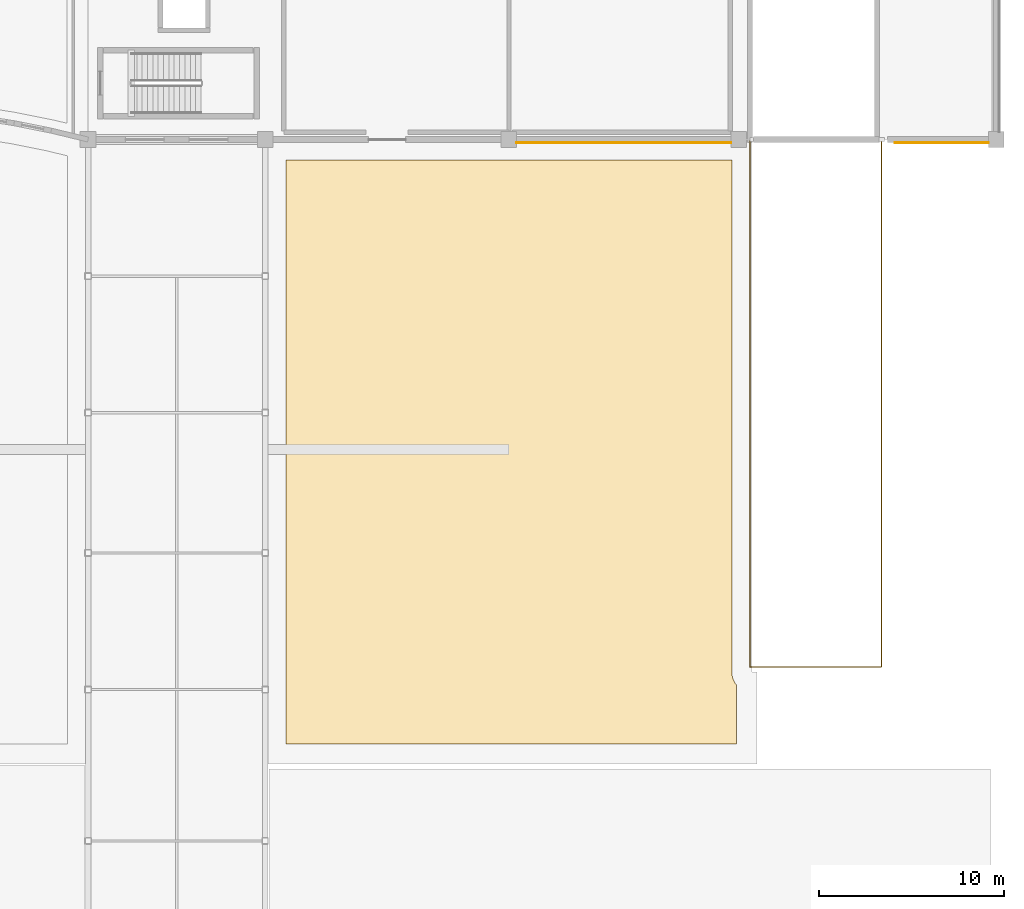
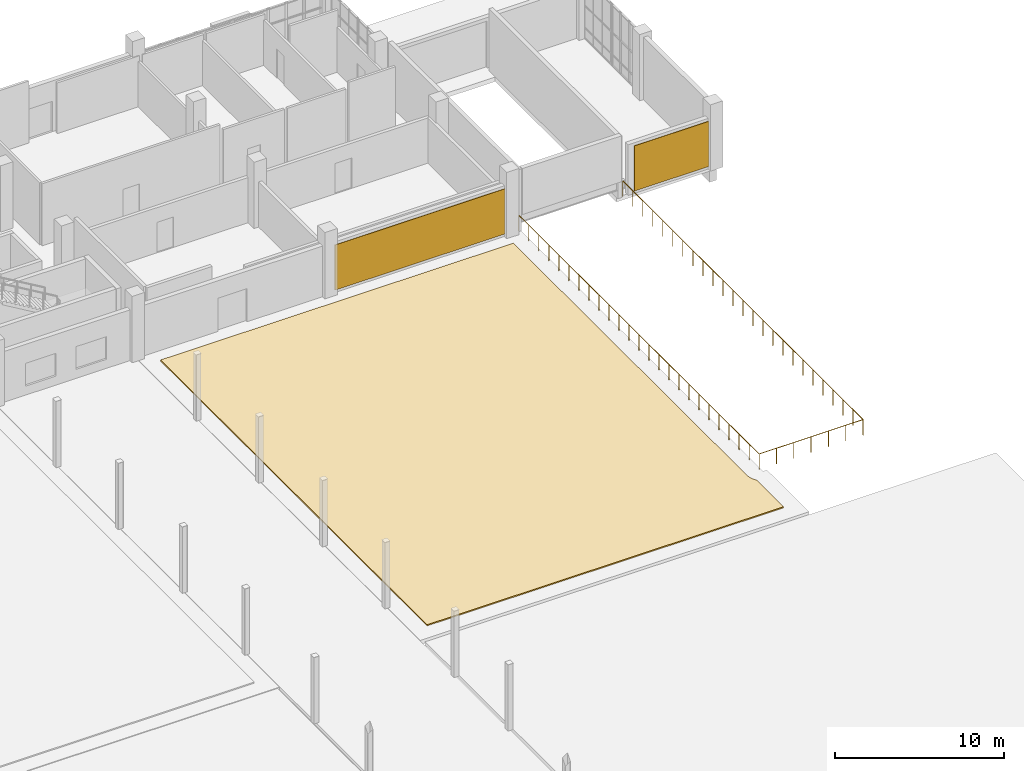
# One storey, part 94 of 97: 3 coverings, 1 railing.
"""IFC4 building model written with IfcOpenShell, lengths in metres."""

from ifc_helpers import new_model, si_unit, direction, frame, origin, origin_2d, place, context, subcontext, project, spatial, polyline, rectangle, circle, outline, extrude, material, layer, layer_set, type_object, element, save


model = new_model("IFC4")

# Units and contexts
model_context = context("Model", 3, precision=1e-05, world=origin(), true_north=direction((0.0, 1.0)))
body_context = subcontext(model_context, "Body", "Model", "MODEL_VIEW")
ifc_project = project(units=[si_unit("LENGTHUNIT", "METRE"), si_unit("AREAUNIT", "SQUARE_METRE"), si_unit("VOLUMEUNIT", "CUBIC_METRE"), si_unit("PLANEANGLEUNIT", "RADIAN"), si_unit("MASSUNIT", "GRAM", prefix="KILO")], contexts=[model_context])

# Site, building, storey
site_placement = place(None, origin())
site = spatial("IfcSite", under=ifc_project, at=site_placement, CompositionType="ELEMENT")
building_placement = place(site_placement, origin())
building = spatial("IfcBuilding", under=site, at=building_placement, Name="Kisaragi Civic Commons", CompositionType="ELEMENT")
storey_placement = place(building_placement, origin())
storey = spatial("IfcBuildingStorey", under=building, at=storey_placement, Name="L00", CompositionType="ELEMENT", Elevation=0.0)

# Coverings
ifc_material_1 = material(Name="Extruded Tokoname terracotta rainscreen tile", Category="masonry")
ifc_layer_1 = layer(ifc_material_1, 0.0400390625, Name="Extruded Tokoname terracotta rainscreen tile", Category="masonry")
ifc_layer_set_1 = layer_set([ifc_layer_1], Name="Extruded Tokoname terracotta rainscreen tile")
covering_type_1 = type_object("IfcCoveringType", Name="CLD-01", PredefinedType="CLADDING", material=ifc_layer_set_1)
covering_1_placement = place(storey_placement, frame((169.85009765625, 95.826904296875, 0.199951171875), z_axis=(0.0, 0.0, 1.0), x_axis=(-1.0, 0.0, 0.0)))
element("IfcCovering", 1, at=covering_1_placement, inside=storey, type_object=covering_type_1, Name="V4 L00 terracotta facade cladding 7", PredefinedType="CLADDING", context=body_context, shape_type="SweptSolid", body=[
    extrude(rectangle(XDim=5.10009765625, YDim=0.0400390625, at=origin_2d()), origin(), (0.0, 0.0, 1.0), 3.27001953125),
])
covering_2_placement = place(storey_placement, frame((152.625, 95.826904296875, 0.199951171875), z_axis=(0.0, 0.0, 1.0), x_axis=(-1.0, 0.0, 0.0)))
element("IfcCovering", 2, at=covering_2_placement, inside=storey, type_object=covering_type_1, Name="V4 L00 terracotta facade cladding 8", PredefinedType="CLADDING", context=body_context, shape_type="SweptSolid", body=[
    extrude(rectangle(XDim=11.64990234375, YDim=0.0400390625, at=origin_2d()), origin(), (0.0, 0.0, 1.0), 3.27001953125),
])

# Railing
ifc_material_2 = material(Name="Hot-dip galvanized and fluoropolymer-coated steel", Category="steel")
railing_type = type_object("IfcRailingType", Name="GRD-E1", PredefinedType="GUARDRAIL", material=ifc_material_2)
railing_placement = place(storey_placement, frame((159.4599609375, 95.919921875, 0.0)))
element("IfcRailing", 3, at=railing_placement, inside=storey, type_object=railing_type, Name="L00 vehicle ramp opening perimeter guardrail", PredefinedType="GUARDRAIL", context=body_context, shape_type="SweptSolid", body=[
    extrude(circle(Radius=0.02392578125, at=origin_2d()), frame((0.0, 0.0, 1.1259765625), z_axis=(0.0, -1.0, 0.0), x_axis=(1.0, 0.0, 0.0)), (0.0, 0.0, 1.0), 28.5),
    extrude(circle(Radius=0.02392578125, at=origin_2d()), frame((0.0, -28.5, 1.1259765625), z_axis=(1.0, 0.0, 0.0), x_axis=(0.0, 1.0, 0.0)), (0.0, 0.0, 1.0), 7.1201171875),
    extrude(circle(Radius=0.02392578125, at=origin_2d()), frame((7.1201171875, -28.5, 1.1259765625), z_axis=(0.0, 1.0, 0.0), x_axis=(-1.0, 0.0, 0.0)), (0.0, 0.0, 1.0), 28.5),
    extrude(circle(Radius=0.02099609375, at=origin_2d()), origin(), (0.0, 0.0, 1.0), 1.101806640625),
    extrude(circle(Radius=0.02099609375, at=origin_2d()), frame((0.0, -1.1875, 0.0)), (0.0, 0.0, 1.0), 1.101806640625),
    extrude(circle(Radius=0.02099609375, at=origin_2d()), frame((0.0, -2.375, 0.0)), (0.0, 0.0, 1.0), 1.101806640625),
    extrude(circle(Radius=0.02099609375, at=origin_2d()), frame((0.0, -3.5625, 0.0)), (0.0, 0.0, 1.0), 1.101806640625),
    extrude(circle(Radius=0.02099609375, at=origin_2d()), frame((0.0, -4.75, 0.0)), (0.0, 0.0, 1.0), 1.101806640625),
    extrude(circle(Radius=0.02099609375, at=origin_2d()), frame((0.0, -5.9375, 0.0)), (0.0, 0.0, 1.0), 1.101806640625),
    extrude(circle(Radius=0.02099609375, at=origin_2d()), frame((0.0, -7.125, 0.0)), (0.0, 0.0, 1.0), 1.101806640625),
    extrude(circle(Radius=0.02099609375, at=origin_2d()), frame((0.0, -8.3125, 0.0)), (0.0, 0.0, 1.0), 1.101806640625),
    extrude(circle(Radius=0.02099609375, at=origin_2d()), frame((0.0, -9.5, 0.0)), (0.0, 0.0, 1.0), 1.101806640625),
    extrude(circle(Radius=0.02099609375, at=origin_2d()), frame((0.0, -10.6875, 0.0)), (0.0, 0.0, 1.0), 1.101806640625),
    extrude(circle(Radius=0.02099609375, at=origin_2d()), frame((0.0, -11.875, 0.0)), (0.0, 0.0, 1.0), 1.101806640625),
    extrude(circle(Radius=0.02099609375, at=origin_2d()), frame((0.0, -13.0625, 0.0)), (0.0, 0.0, 1.0), 1.101806640625),
    extrude(circle(Radius=0.02099609375, at=origin_2d()), frame((0.0, -14.25, 0.0)), (0.0, 0.0, 1.0), 1.101806640625),
    extrude(circle(Radius=0.02099609375, at=origin_2d()), frame((0.0, -15.4375, 0.0)), (0.0, 0.0, 1.0), 1.101806640625),
    extrude(circle(Radius=0.02099609375, at=origin_2d()), frame((0.0, -16.625, 0.0)), (0.0, 0.0, 1.0), 1.101806640625),
    extrude(circle(Radius=0.02099609375, at=origin_2d()), frame((0.0, -17.8125, 0.0)), (0.0, 0.0, 1.0), 1.101806640625),
    extrude(circle(Radius=0.02099609375, at=origin_2d()), frame((0.0, -19.0, 0.0)), (0.0, 0.0, 1.0), 1.101806640625),
    extrude(circle(Radius=0.02099609375, at=origin_2d()), frame((0.0, -20.1875, 0.0)), (0.0, 0.0, 1.0), 1.101806640625),
    extrude(circle(Radius=0.02099609375, at=origin_2d()), frame((0.0, -21.375, 0.0)), (0.0, 0.0, 1.0), 1.101806640625),
    extrude(circle(Radius=0.02099609375, at=origin_2d()), frame((0.0, -22.5625, 0.0)), (0.0, 0.0, 1.0), 1.101806640625),
    extrude(circle(Radius=0.02099609375, at=origin_2d()), frame((0.0, -23.75, 0.0)), (0.0, 0.0, 1.0), 1.101806640625),
    extrude(circle(Radius=0.02099609375, at=origin_2d()), frame((0.0, -24.9375, 0.0)), (0.0, 0.0, 1.0), 1.101806640625),
    extrude(circle(Radius=0.02099609375, at=origin_2d()), frame((0.0, -26.125, 0.0)), (0.0, 0.0, 1.0), 1.101806640625),
    extrude(circle(Radius=0.02099609375, at=origin_2d()), frame((0.0, -27.3125, 0.0)), (0.0, 0.0, 1.0), 1.101806640625),
    extrude(circle(Radius=0.02099609375, at=origin_2d()), frame((0.0, -28.5, 0.0)), (0.0, 0.0, 1.0), 1.101806640625),
    extrude(circle(Radius=0.02099609375, at=origin_2d()), frame((1.186767578125, -28.5, 0.0)), (0.0, 0.0, 1.0), 1.101806640625),
    extrude(circle(Radius=0.02099609375, at=origin_2d()), frame((2.373291015625, -28.5, 0.0)), (0.0, 0.0, 1.0), 1.101806640625),
    extrude(circle(Radius=0.02099609375, at=origin_2d()), frame((3.56005859375, -28.5, 0.0)), (0.0, 0.0, 1.0), 1.101806640625),
    extrude(circle(Radius=0.02099609375, at=origin_2d()), frame((4.746826171875, -28.5, 0.0)), (0.0, 0.0, 1.0), 1.101806640625),
    extrude(circle(Radius=0.02099609375, at=origin_2d()), frame((5.933349609375, -28.5, 0.0)), (0.0, 0.0, 1.0), 1.101806640625),
    extrude(circle(Radius=0.02099609375, at=origin_2d()), frame((7.1201171875, -28.5, 0.0)), (0.0, 0.0, 1.0), 1.101806640625),
    extrude(circle(Radius=0.02099609375, at=origin_2d()), frame((7.1201171875, -27.3125, 0.0)), (0.0, 0.0, 1.0), 1.101806640625),
    extrude(circle(Radius=0.02099609375, at=origin_2d()), frame((7.1201171875, -26.125, 0.0)), (0.0, 0.0, 1.0), 1.101806640625),
    extrude(circle(Radius=0.02099609375, at=origin_2d()), frame((7.1201171875, -24.9375, 0.0)), (0.0, 0.0, 1.0), 1.101806640625),
    extrude(circle(Radius=0.02099609375, at=origin_2d()), frame((7.1201171875, -23.75, 0.0)), (0.0, 0.0, 1.0), 1.101806640625),
    extrude(circle(Radius=0.02099609375, at=origin_2d()), frame((7.1201171875, -22.5625, 0.0)), (0.0, 0.0, 1.0), 1.101806640625),
    extrude(circle(Radius=0.02099609375, at=origin_2d()), frame((7.1201171875, -21.375, 0.0)), (0.0, 0.0, 1.0), 1.101806640625),
    extrude(circle(Radius=0.02099609375, at=origin_2d()), frame((7.1201171875, -20.1875, 0.0)), (0.0, 0.0, 1.0), 1.101806640625),
    extrude(circle(Radius=0.02099609375, at=origin_2d()), frame((7.1201171875, -19.0, 0.0)), (0.0, 0.0, 1.0), 1.101806640625),
    extrude(circle(Radius=0.02099609375, at=origin_2d()), frame((7.1201171875, -17.8125, 0.0)), (0.0, 0.0, 1.0), 1.101806640625),
    extrude(circle(Radius=0.02099609375, at=origin_2d()), frame((7.1201171875, -16.625, 0.0)), (0.0, 0.0, 1.0), 1.101806640625),
    extrude(circle(Radius=0.02099609375, at=origin_2d()), frame((7.1201171875, -15.4375, 0.0)), (0.0, 0.0, 1.0), 1.101806640625),
    extrude(circle(Radius=0.02099609375, at=origin_2d()), frame((7.1201171875, -14.25, 0.0)), (0.0, 0.0, 1.0), 1.101806640625),
    extrude(circle(Radius=0.02099609375, at=origin_2d()), frame((7.1201171875, -13.0625, 0.0)), (0.0, 0.0, 1.0), 1.101806640625),
    extrude(circle(Radius=0.02099609375, at=origin_2d()), frame((7.1201171875, -11.875, 0.0)), (0.0, 0.0, 1.0), 1.101806640625),
    extrude(circle(Radius=0.02099609375, at=origin_2d()), frame((7.1201171875, -10.6875, 0.0)), (0.0, 0.0, 1.0), 1.101806640625),
    extrude(circle(Radius=0.02099609375, at=origin_2d()), frame((7.1201171875, -9.5, 0.0)), (0.0, 0.0, 1.0), 1.101806640625),
    extrude(circle(Radius=0.02099609375, at=origin_2d()), frame((7.1201171875, -8.3125, 0.0)), (0.0, 0.0, 1.0), 1.101806640625),
    extrude(circle(Radius=0.02099609375, at=origin_2d()), frame((7.1201171875, -7.125, 0.0)), (0.0, 0.0, 1.0), 1.101806640625),
    extrude(circle(Radius=0.02099609375, at=origin_2d()), frame((7.1201171875, -5.9375, 0.0)), (0.0, 0.0, 1.0), 1.101806640625),
    extrude(circle(Radius=0.02099609375, at=origin_2d()), frame((7.1201171875, -4.75, 0.0)), (0.0, 0.0, 1.0), 1.101806640625),
    extrude(circle(Radius=0.02099609375, at=origin_2d()), frame((7.1201171875, -3.5625, 0.0)), (0.0, 0.0, 1.0), 1.101806640625),
    extrude(circle(Radius=0.02099609375, at=origin_2d()), frame((7.1201171875, -2.375, 0.0)), (0.0, 0.0, 1.0), 1.101806640625),
    extrude(circle(Radius=0.02099609375, at=origin_2d()), frame((7.1201171875, -1.1875, 0.0)), (0.0, 0.0, 1.0), 1.101806640625),
    extrude(circle(Radius=0.02099609375, at=origin_2d()), frame((7.1201171875, 0.0, 0.0)), (0.0, 0.0, 1.0), 1.101806640625),
])

# Covering
ifc_material_3 = material(Name="Extensive sedum planted roof assembly")
ifc_layer_2 = layer(ifc_material_3, 0.0849609375, Name="Extensive sedum planted roof assembly")
ifc_layer_set_2 = layer_set([ifc_layer_2], Name="Extensive sedum planted roof assembly")
covering_type_2 = type_object("IfcCoveringType", Name="RFG-02", PredefinedType="ROOFING", material=ifc_layer_set_2)
covering_3_placement = place(storey_placement, origin())
element("IfcCovering", 4, at=covering_3_placement, inside=storey, type_object=covering_type_2, Name="L00 courtyard roof-garden planted covering 2.1", PredefinedType="ROOFING", context=body_context, shape_type="SweptSolid", body=[
    extrude(outline(polyline([(158.729736328125, 66.4521484375), (158.665283203125, 66.538818359375), (158.60986328125, 66.631591796875), (158.563720703125, 66.72900390625), (158.52734375, 66.830810546875), (158.501220703125, 66.935302734375), (158.4853515625, 67.042236328125), (158.47998046875, 67.14990234375), (158.47998046875, 94.8798828125), (134.320068359375, 94.8798828125), (134.320068359375, 63.260009765625), (158.739990234375, 63.260009765625), (158.739990234375, 66.44091796875), (158.729736328125, 66.4521484375)])), origin(), (0.0, 0.0, 1.0), 0.0849609375),
])

save(model, "model.ifc")
